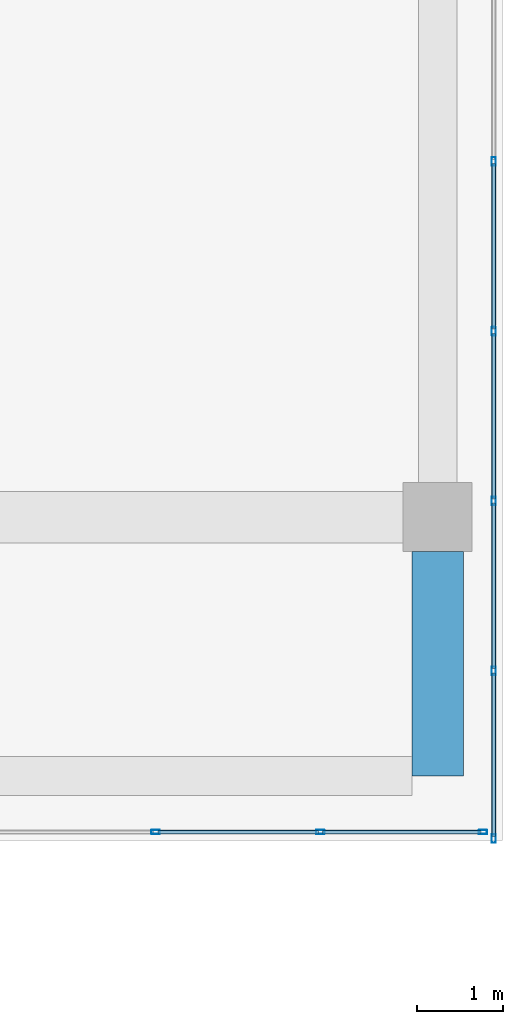
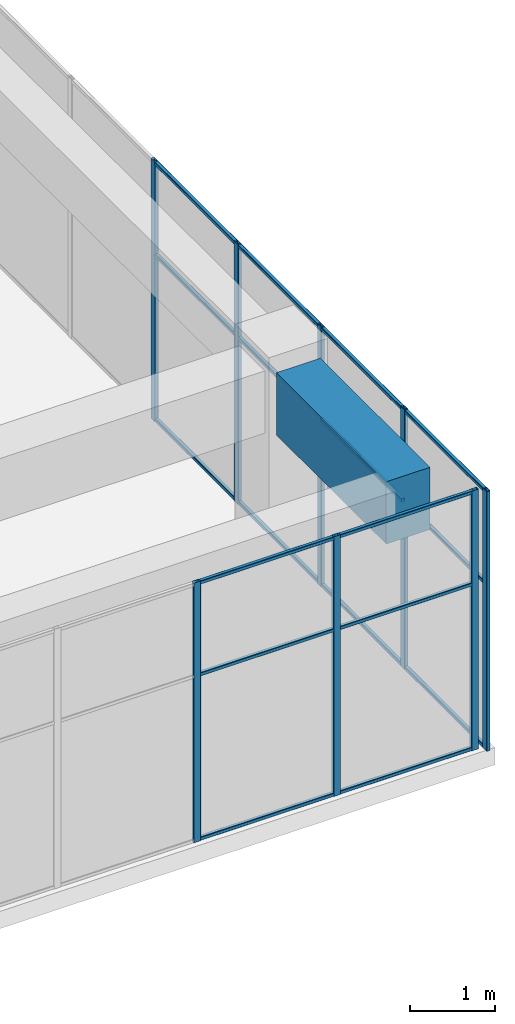
# One storey, part 37 of 55: 26 members, 1 beam, 2 elements without a shape of their own.
"""IFC4 building model written with IfcOpenShell, lengths in metres."""

import ifcopenshell
import ifcopenshell.guid

model = None  # the IFC model being written
_history = None  # IfcOwnerHistory: only IFC2X3 demands one
_inside = {}  # id of a spatial element -> (the spatial element, [elements in it])
_under = {}  # id of a project, library or spatial element -> (it, [spatial elements below it])
_declared = {}  # id of a project -> (the project, [libraries it declares])
_typed = {}  # id of a type object -> (the type object, [elements of that type])
_made_of = {}  # id of a material, layer set ... -> (it, [elements and type objects made of it])


def new_model(schema):
    """Start an empty IFC model of exactly this schema.

    Asked for "IFC4X3", IfcOpenShell would pick the latest addendum, in which some entities
    have other attributes; the version numbers below select the first issue.
    IFC2X3 requires an IfcOwnerHistory on every rooted entity: one is made here for all.
    """
    global model, _history
    if schema == "IFC4X3":
        model = ifcopenshell.file(schema_version=(4, 3, 0, 0))
    else:
        model = ifcopenshell.file(schema=schema)
    _inside.clear()
    _under.clear()
    _declared.clear()
    _typed.clear()
    _made_of.clear()
    _history = None
    if model.schema == "IFC2X3":
        org = make("IfcOrganization", Name="unknown")
        user = make(
            "IfcPersonAndOrganization",
            ThePerson=make("IfcPerson", FamilyName="unknown"),
            TheOrganization=org,
        )
        app = make(
            "IfcApplication",
            ApplicationDeveloper=org,
            Version="unknown",
            ApplicationFullName="unknown",
            ApplicationIdentifier="unknown",
        )
        _history = make(
            "IfcOwnerHistory",
            OwningUser=user,
            OwningApplication=app,
            ChangeAction="ADDED",
            CreationDate=0,
        )
    return model


def make(cls, **values):
    """One entity of the class cls with the attributes given. An attribute that is None is left unset."""
    return model.create_entity(
        cls, **{name: value for name, value in values.items() if value is not None}
    )


def rooted(cls, **values):
    """An entity with a GlobalId (a new one), such as an element, a storey or a relation."""
    return make(cls, GlobalId=ifcopenshell.guid.new(), OwnerHistory=_history, **values)


def si_unit(unit_type, name, prefix=None):
    """IfcSIUnit, for example si_unit("LENGTHUNIT", "METRE", prefix="MILLI")."""
    return make("IfcSIUnit", UnitType=unit_type, Prefix=prefix, Name=name)


def assignment(units):
    """IfcUnitAssignment: the units of a project."""
    return None if units is None else make("IfcUnitAssignment", Units=units)


def point(xyz):
    """IfcCartesianPoint."""
    return None if xyz is None else make("IfcCartesianPoint", Coordinates=xyz)


def direction(xyz):
    """IfcDirection."""
    return None if xyz is None else make("IfcDirection", DirectionRatios=xyz)


def frame(location, z_axis=None, x_axis=None):
    """IfcAxis2Placement3D, a coordinate frame: its origin and axes. An axis left out is left unset."""
    return make(
        "IfcAxis2Placement3D",
        Location=point(location),
        Axis=direction(z_axis),
        RefDirection=direction(x_axis),
    )


def frame_2d(location, x_axis=None):
    """IfcAxis2Placement2D, a coordinate frame in the plane: its origin and x axis."""
    return make(
        "IfcAxis2Placement2D", Location=point(location), RefDirection=direction(x_axis)
    )


def origin():
    """The frame at (0, 0, 0) with its axes left unset."""
    return frame((0.0, 0.0, 0.0))


def origin_2d():
    """The frame at (0, 0) in the plane with its x axis left unset."""
    return frame_2d((0.0, 0.0))


def place(relative_to, where):
    """IfcLocalPlacement: puts the frame where relative to a parent placement (None: the world)."""
    return make(
        "IfcLocalPlacement", PlacementRelTo=relative_to, RelativePlacement=where
    )


def context(
    kind, dimensions, precision=None, world=None, true_north=None, identifier=None
):
    """IfcGeometricRepresentationContext, for example the 3D "Model" context."""
    return make(
        "IfcGeometricRepresentationContext",
        ContextIdentifier=identifier,
        ContextType=kind,
        CoordinateSpaceDimension=dimensions,
        Precision=precision,
        WorldCoordinateSystem=world,
        TrueNorth=true_north,
    )


def subcontext(parent, identifier, kind, view, scale=None):
    """IfcGeometricRepresentationSubContext, for example "Body" below "Model"."""
    return make(
        "IfcGeometricRepresentationSubContext",
        ContextIdentifier=identifier,
        ContextType=kind,
        ParentContext=parent,
        TargetScale=scale,
        TargetView=view,
    )


def project(units=None, contexts=None):
    """IfcProject with its units and contexts."""
    return rooted(
        "IfcProject",
        Name="project",
        RepresentationContexts=contexts,
        UnitsInContext=assignment(units),
    )


def spatial(cls, under=None, at=None, **own):
    """A site, building, storey or space (cls), placed at a placement, below another one or the project."""
    s = rooted(cls, ObjectPlacement=at, **own)
    if under is not None:
        _under.setdefault(under.id(), (under, []))[1].append(s)
    return s


def profile(cls, at=None, kind="AREA", **sizes):
    """A parametric profile (cls). Its sizes go by their IFC names, for example OverallWidth=200.0."""
    return make(cls, ProfileType=kind, Position=at, **sizes)


def rectangle(**sizes):
    """IfcRectangleProfileDef."""
    return profile("IfcRectangleProfileDef", **sizes)


def hollow_rectangle(**sizes):
    """IfcRectangleHollowProfileDef."""
    return profile("IfcRectangleHollowProfileDef", **sizes)


def extrude(swept, where, along, depth):
    """IfcExtrudedAreaSolid: the profile swept, set in the frame where, extruded along a direction by depth."""
    return make(
        "IfcExtrudedAreaSolid",
        SweptArea=swept,
        Position=where,
        ExtrudedDirection=direction(along),
        Depth=depth,
    )


def shape(context_of_items, identifier, shape_type, items):
    """IfcShapeRepresentation: the items that make up one representation, for example the "Body"."""
    return make(
        "IfcShapeRepresentation",
        ContextOfItems=context_of_items,
        RepresentationIdentifier=identifier,
        RepresentationType=shape_type,
        Items=items,
    )


def material(Name=None, Category=None):
    """IfcMaterial."""
    return make("IfcMaterial", Name=Name, Category=Category)


def layer(
    of_material, thickness, ventilated=None, Name=None, Category=None, Priority=None
):
    """IfcMaterialLayer: one layer of a wall or slab, of a material (None: an air gap)."""
    return make(
        "IfcMaterialLayer",
        Material=of_material,
        LayerThickness=thickness,
        IsVentilated=ventilated,
        Name=Name,
        Category=Category,
        Priority=Priority,
    )


def layer_set(layers, Name=None):
    """IfcMaterialLayerSet."""
    return make("IfcMaterialLayerSet", MaterialLayers=layers, LayerSetName=Name)


def material_profile(
    of_material, cross_section, Name=None, Category=None, Priority=None
):
    """IfcMaterialProfile: a cross section and its material."""
    return make(
        "IfcMaterialProfile",
        Name=Name,
        Material=of_material,
        Profile=cross_section,
        Priority=Priority,
        Category=Category,
    )


def profile_set(profiles, Name=None, composite=None):
    """IfcMaterialProfileSet."""
    return make(
        "IfcMaterialProfileSet",
        Name=Name,
        MaterialProfiles=profiles,
        CompositeProfile=composite,
    )


def made_of(thing, what):
    """Note that an element or type object is made of a material, layer set ...; save() writes the relation."""
    if what is not None:
        _made_of.setdefault(what.id(), (what, []))[1].append(thing)
    return thing


def type_object(cls, material=None, **own):
    """A type object (cls), such as IfcWallType, which elements share."""
    return made_of(rooted(cls, **own), material)


def element(
    cls,
    number,
    at=None,
    inside=None,
    cuts=None,
    type_object=None,
    material=None,
    context=None,
    identifier="Body",
    shape_type=None,
    held_by="IfcProductDefinitionShape",
    body=None,
    shapes=None,
    **own,
):
    """One element of the class cls, such as IfcWall. Its Tag is "e" and its number.

    at: its placement. inside: the storey or other place that contains it. cuts: it is an
    opening in that element (IfcRelVoidsElement). A single representation is given by context,
    identifier, shape_type and body (its items); several are given by shapes. held_by: the class
    of the entity that holds the representations. save() writes the other relations.
    """
    e = rooted(cls, Tag="e%d" % number, ObjectPlacement=at, **own)
    if body is not None:
        shapes = [shape(context, identifier, shape_type, body)]
    if shapes is not None:
        e.Representation = make(held_by, Representations=shapes)
    if inside is not None:
        _inside.setdefault(inside.id(), (inside, []))[1].append(e)
    if cuts is not None:
        rooted(
            "IfcRelVoidsElement", RelatingBuildingElement=cuts, RelatedOpeningElement=e
        )
    if type_object is not None:
        _typed.setdefault(type_object.id(), (type_object, []))[1].append(e)
    return made_of(e, material)


def aggregate(whole, parts):
    """IfcRelAggregates: a whole, such as a stair, and the parts it consists of."""
    return rooted("IfcRelAggregates", RelatingObject=whole, RelatedObjects=parts)


def save(model, path):
    """Write the relations noted so far, then the file.

    IfcRelAggregates (storeys below a building ...), IfcRelContainedInSpatialStructure (elements
    in a storey), IfcRelDefinesByType, IfcRelAssociatesMaterial and IfcRelDeclares: one each for
    every whole, place, type object, material and project.
    """
    for whole, parts in _under.values():
        aggregate(whole, parts)
    for where, things in _inside.values():
        rooted(
            "IfcRelContainedInSpatialStructure",
            RelatedElements=things,
            RelatingStructure=where,
        )
    for kind, things in _typed.values():
        rooted("IfcRelDefinesByType", RelatedObjects=things, RelatingType=kind)
    for what, things in _made_of.values():
        rooted("IfcRelAssociatesMaterial", RelatedObjects=things, RelatingMaterial=what)
    for by, libraries in _declared.values():
        rooted("IfcRelDeclares", RelatingContext=by, RelatedDefinitions=libraries)
    model.write(path)


model = new_model("IFC4")

# Units and contexts
model_context = context("Model", 3, precision=1e-05, world=origin(), true_north=direction((0.0, 1.0)))
body_context = subcontext(model_context, "Body", "Model", "MODEL_VIEW")
ifc_project = project(units=[si_unit("LENGTHUNIT", "METRE"), si_unit("AREAUNIT", "SQUARE_METRE"), si_unit("VOLUMEUNIT", "CUBIC_METRE"), si_unit("PLANEANGLEUNIT", "RADIAN"), si_unit("MASSUNIT", "GRAM", prefix="KILO")], contexts=[model_context])

# Site, building, storey
site_placement = place(None, origin())
site = spatial("IfcSite", under=ifc_project, at=site_placement, CompositionType="ELEMENT")
building_placement = place(site_placement, origin())
building = spatial("IfcBuilding", under=site, at=building_placement, Name="Tuart Plaza Theatre", CompositionType="ELEMENT")
storey_placement = place(building_placement, frame((0.0, 0.0, 21.5)))
storey = spatial("IfcBuildingStorey", under=building, at=storey_placement, Name="L05", CompositionType="ELEMENT", Elevation=21.5)

# Beam
ifc_material_1 = material(Name="Concrete N40 (40 MPa)", Category="concrete")
ifc_material_profile_1 = material_profile(ifc_material_1, rectangle(XDim=0.60009765625, YDim=0.89990234375, at=origin_2d()), Name="BEAM 600x900 Concrete N40 (40 MPa)")
ifc_profile_set_1 = profile_set([ifc_material_profile_1], Name="Concrete N40 (40 MPa)")
beam_type = type_object("IfcBeamType", Name="BEAM 600x900 Concrete N40 (40 MPa)", PredefinedType="BEAM", material=ifc_profile_set_1)
beam_placement = place(storey_placement, frame((150.0, 53.0, 3.300048828125), z_axis=(0.0, 1.0, 0.0), x_axis=(-1.0, 0.0, 0.0)))
element("IfcBeam", 1, at=beam_placement, inside=storey, type_object=beam_type, Name="RB237", PredefinedType="BEAM", context=body_context, shape_type="SweptSolid", body=[
    extrude(rectangle(XDim=0.60009765625, YDim=0.89990234375, at=origin_2d()), origin(), (0.0, 0.0, 1.0), 2.60009765625),
])

# Curtain wall, members
ifc_material_2 = material(Name="Aluminium and glass", Category="aluminium")
ifc_layer = layer(ifc_material_2, 0.10009765625)
ifc_layer_set = layer_set([ifc_layer], Name="CURTAIN WALL 2000 module")
curtain_wall_type = type_object("IfcCurtainWallType", Name="CURTAIN WALL 2000 module", PredefinedType="NOTDEFINED", material=ifc_layer_set)
curtain_wall_1_placement = place(storey_placement, origin())
curtain_wall_1 = element("IfcCurtainWall", 2, at=curtain_wall_1_placement, inside=storey, type_object=curtain_wall_type, Name="CW76", PredefinedType="NOTDEFINED")
ifc_material_3 = material(Name="Aluminium 6063-T5", Category="aluminium")
ifc_material_profile_2 = material_profile(ifc_material_3, hollow_rectangle(XDim=0.050048828125, YDim=0.10009765625, WallThickness=0.00390625, InnerFilletRadius=0.00390625, OuterFilletRadius=0.008056640625, at=origin_2d()), Name="RHS 100x50x4")
ifc_profile_set_2 = profile_set([ifc_material_profile_2], Name="Aluminium 6063-T5")
member_type_1 = type_object("IfcMemberType", Name="MULLION RHS 100x50x4", PredefinedType="MULLION", material=ifc_profile_set_2)
member_1_placement = place(storey_placement, frame((146.72998046875, 52.35009765625, 0.0), z_axis=(0.0, 0.0, 1.0), x_axis=(0.0, 1.0, 0.0)))
member_1 = element("IfcMember", 3, at=member_1_placement, type_object=member_type_1, Name="CW76 mullion 9", PredefinedType="MULLION", context=body_context, shape_type="SweptSolid", body=[
    extrude(hollow_rectangle(XDim=0.050048828125, YDim=0.10009765625, WallThickness=0.00390625, InnerFilletRadius=0.00390625, OuterFilletRadius=0.008056640625, at=origin_2d()), origin(), (0.0, 0.0, 1.0), 3.75),
])
member_2_placement = place(storey_placement, frame((148.639892578125, 52.35009765625, 0.0), z_axis=(0.0, 0.0, 1.0), x_axis=(0.0, 1.0, 0.0)))
member_2 = element("IfcMember", 4, at=member_2_placement, type_object=member_type_1, Name="CW76 mullion 10", PredefinedType="MULLION", context=body_context, shape_type="SweptSolid", body=[
    extrude(hollow_rectangle(XDim=0.050048828125, YDim=0.10009765625, WallThickness=0.00390625, InnerFilletRadius=0.00390625, OuterFilletRadius=0.008056640625, at=origin_2d()), origin(), (0.0, 0.0, 1.0), 3.75),
])
member_3_placement = place(storey_placement, frame((150.52490234375, 52.35009765625, 0.0), z_axis=(0.0, 0.0, 1.0), x_axis=(0.0, 1.0, 0.0)))
member_3 = element("IfcMember", 5, at=member_3_placement, type_object=member_type_1, Name="CW76 mullion 11", PredefinedType="MULLION", context=body_context, shape_type="SweptSolid", body=[
    extrude(hollow_rectangle(XDim=0.050048828125, YDim=0.10009765625, WallThickness=0.00390625, InnerFilletRadius=0.00390625, OuterFilletRadius=0.008056640625, at=origin_2d()), origin(), (0.0, 0.0, 1.0), 3.75),
])

curtain_wall_2_placement = place(storey_placement, origin())
curtain_wall_2 = element("IfcCurtainWall", 6, at=curtain_wall_2_placement, inside=storey, type_object=curtain_wall_type, Name="CW78", PredefinedType="NOTDEFINED")
member_4_placement = place(storey_placement, frame((150.64990234375, 52.27490234375, 0.0), z_axis=(0.0, 0.0, 1.0), x_axis=(-1.0, 0.0, 0.0)))
member_4 = element("IfcMember", 7, at=member_4_placement, type_object=member_type_1, Name="CW78 mullion 1", PredefinedType="MULLION", context=body_context, shape_type="SweptSolid", body=[
    extrude(hollow_rectangle(XDim=0.050048828125, YDim=0.10009765625, WallThickness=0.00390625, InnerFilletRadius=0.00390625, OuterFilletRadius=0.008056640625, at=origin_2d()), origin(), (0.0, 0.0, 1.0), 3.75),
])
member_5_placement = place(storey_placement, frame((150.64990234375, 54.21875, 0.0), z_axis=(0.0, 0.0, 1.0), x_axis=(-1.0, 0.0, 0.0)))
member_5 = element("IfcMember", 8, at=member_5_placement, type_object=member_type_1, Name="CW78 mullion 2", PredefinedType="MULLION", context=body_context, shape_type="SweptSolid", body=[
    extrude(hollow_rectangle(XDim=0.050048828125, YDim=0.10009765625, WallThickness=0.00390625, InnerFilletRadius=0.00390625, OuterFilletRadius=0.008056640625, at=origin_2d()), origin(), (0.0, 0.0, 1.0), 3.75),
])
member_6_placement = place(storey_placement, frame((150.64990234375, 56.1875, 0.0), z_axis=(0.0, 0.0, 1.0), x_axis=(-1.0, 0.0, 0.0)))
member_6 = element("IfcMember", 9, at=member_6_placement, type_object=member_type_1, Name="CW78 mullion 3", PredefinedType="MULLION", context=body_context, shape_type="SweptSolid", body=[
    extrude(hollow_rectangle(XDim=0.050048828125, YDim=0.10009765625, WallThickness=0.00390625, InnerFilletRadius=0.00390625, OuterFilletRadius=0.008056640625, at=origin_2d()), origin(), (0.0, 0.0, 1.0), 3.75),
])
member_7_placement = place(storey_placement, frame((150.64990234375, 58.15625, 0.0), z_axis=(0.0, 0.0, 1.0), x_axis=(-1.0, 0.0, 0.0)))
member_7 = element("IfcMember", 10, at=member_7_placement, type_object=member_type_1, Name="CW78 mullion 4", PredefinedType="MULLION", context=body_context, shape_type="SweptSolid", body=[
    extrude(hollow_rectangle(XDim=0.050048828125, YDim=0.10009765625, WallThickness=0.00390625, InnerFilletRadius=0.00390625, OuterFilletRadius=0.008056640625, at=origin_2d()), origin(), (0.0, 0.0, 1.0), 3.75),
])
member_8_placement = place(storey_placement, frame((150.64990234375, 60.125, 0.0), z_axis=(0.0, 0.0, 1.0), x_axis=(-1.0, 0.0, 0.0)))
member_8 = element("IfcMember", 11, at=member_8_placement, type_object=member_type_1, Name="CW78 mullion 5", PredefinedType="MULLION", context=body_context, shape_type="SweptSolid", body=[
    extrude(hollow_rectangle(XDim=0.050048828125, YDim=0.10009765625, WallThickness=0.00390625, InnerFilletRadius=0.00390625, OuterFilletRadius=0.008056640625, at=origin_2d()), origin(), (0.0, 0.0, 1.0), 3.75),
])

# Member
ifc_material_4 = material(Name="Aluminium 6063-T5", Category="aluminium")
ifc_material_profile_3 = material_profile(ifc_material_4, hollow_rectangle(XDim=0.050048828125, YDim=0.050048828125, WallThickness=0.00390625, InnerFilletRadius=0.00390625, OuterFilletRadius=0.008056640625, at=origin_2d()), Name="RHS 50x50x4")
ifc_profile_set_3 = profile_set([ifc_material_profile_3], Name="Aluminium 6063-T5")
member_type_2 = type_object("IfcMemberType", Name="TRANSOM RHS 50x50x4", PredefinedType="USERDEFINED", material=ifc_profile_set_3)
member_9_placement = place(storey_placement, frame((146.7548828125, 52.35009765625, 0.02490234375), z_axis=(1.0, 0.0, 0.0), x_axis=(0.0, 1.0, 0.0)))
member_9 = element("IfcMember", 12, at=member_9_placement, type_object=member_type_2, Name="CW76 transom 9.1", ObjectType="TRANSOM", PredefinedType="USERDEFINED", context=body_context, shape_type="SweptSolid", body=[
    extrude(hollow_rectangle(XDim=0.050048828125, YDim=0.050048828125, WallThickness=0.00390625, InnerFilletRadius=0.00390625, OuterFilletRadius=0.008056640625, at=origin_2d()), origin(), (0.0, 0.0, 1.0), 1.860107421875),
])

member_10_placement = place(storey_placement, frame((146.7548828125, 52.35009765625, 2.39990234375), z_axis=(1.0, 0.0, 0.0), x_axis=(0.0, 1.0, 0.0)))
member_10 = element("IfcMember", 13, at=member_10_placement, type_object=member_type_2, Name="CW76 transom 9.2", ObjectType="TRANSOM", PredefinedType="USERDEFINED", context=body_context, shape_type="SweptSolid", body=[
    extrude(hollow_rectangle(XDim=0.050048828125, YDim=0.050048828125, WallThickness=0.00390625, InnerFilletRadius=0.00390625, OuterFilletRadius=0.008056640625, at=origin_2d()), origin(), (0.0, 0.0, 1.0), 1.860107421875),
])

member_11_placement = place(storey_placement, frame((146.7548828125, 52.35009765625, 3.72509765625), z_axis=(1.0, 0.0, 0.0), x_axis=(0.0, 1.0, 0.0)))
member_11 = element("IfcMember", 14, at=member_11_placement, type_object=member_type_2, Name="CW76 transom 9.3", ObjectType="TRANSOM", PredefinedType="USERDEFINED", context=body_context, shape_type="SweptSolid", body=[
    extrude(hollow_rectangle(XDim=0.050048828125, YDim=0.050048828125, WallThickness=0.00390625, InnerFilletRadius=0.00390625, OuterFilletRadius=0.008056640625, at=origin_2d()), origin(), (0.0, 0.0, 1.0), 1.860107421875),
])

member_12_placement = place(storey_placement, frame((148.6650390625, 52.35009765625, 0.02490234375), z_axis=(1.0, 0.0, 0.0), x_axis=(0.0, 1.0, 0.0)))
member_12 = element("IfcMember", 15, at=member_12_placement, type_object=member_type_2, Name="CW76 transom 10.1", ObjectType="TRANSOM", PredefinedType="USERDEFINED", context=body_context, shape_type="SweptSolid", body=[
    extrude(hollow_rectangle(XDim=0.050048828125, YDim=0.050048828125, WallThickness=0.00390625, InnerFilletRadius=0.00390625, OuterFilletRadius=0.008056640625, at=origin_2d()), origin(), (0.0, 0.0, 1.0), 1.8349609375),
])

member_13_placement = place(storey_placement, frame((148.6650390625, 52.35009765625, 2.39990234375), z_axis=(1.0, 0.0, 0.0), x_axis=(0.0, 1.0, 0.0)))
member_13 = element("IfcMember", 16, at=member_13_placement, type_object=member_type_2, Name="CW76 transom 10.2", ObjectType="TRANSOM", PredefinedType="USERDEFINED", context=body_context, shape_type="SweptSolid", body=[
    extrude(hollow_rectangle(XDim=0.050048828125, YDim=0.050048828125, WallThickness=0.00390625, InnerFilletRadius=0.00390625, OuterFilletRadius=0.008056640625, at=origin_2d()), origin(), (0.0, 0.0, 1.0), 1.8349609375),
])

member_14_placement = place(storey_placement, frame((148.6650390625, 52.35009765625, 3.72509765625), z_axis=(1.0, 0.0, 0.0), x_axis=(0.0, 1.0, 0.0)))
member_14 = element("IfcMember", 17, at=member_14_placement, type_object=member_type_2, Name="CW76 transom 10.3", ObjectType="TRANSOM", PredefinedType="USERDEFINED", context=body_context, shape_type="SweptSolid", body=[
    extrude(hollow_rectangle(XDim=0.050048828125, YDim=0.050048828125, WallThickness=0.00390625, InnerFilletRadius=0.00390625, OuterFilletRadius=0.008056640625, at=origin_2d()), origin(), (0.0, 0.0, 1.0), 1.8349609375),
])

aggregate(curtain_wall_1, [member_1, member_2, member_3, member_9, member_10, member_11, member_12, member_13, member_14])

member_15_placement = place(storey_placement, frame((150.64990234375, 52.300048828125, 0.02490234375), z_axis=(0.0, 1.0, 0.0), x_axis=(-1.0, 0.0, 0.0)))
member_15 = element("IfcMember", 18, at=member_15_placement, type_object=member_type_2, Name="CW78 transom 1.1", ObjectType="TRANSOM", PredefinedType="USERDEFINED", context=body_context, shape_type="SweptSolid", body=[
    extrude(hollow_rectangle(XDim=0.050048828125, YDim=0.050048828125, WallThickness=0.00390625, InnerFilletRadius=0.00390625, OuterFilletRadius=0.008056640625, at=origin_2d()), origin(), (0.0, 0.0, 1.0), 1.893798828125),
])

member_16_placement = place(storey_placement, frame((150.64990234375, 52.300048828125, 2.39990234375), z_axis=(0.0, 1.0, 0.0), x_axis=(-1.0, 0.0, 0.0)))
member_16 = element("IfcMember", 19, at=member_16_placement, type_object=member_type_2, Name="CW78 transom 1.2", ObjectType="TRANSOM", PredefinedType="USERDEFINED", context=body_context, shape_type="SweptSolid", body=[
    extrude(hollow_rectangle(XDim=0.050048828125, YDim=0.050048828125, WallThickness=0.00390625, InnerFilletRadius=0.00390625, OuterFilletRadius=0.008056640625, at=origin_2d()), origin(), (0.0, 0.0, 1.0), 1.893798828125),
])

member_17_placement = place(storey_placement, frame((150.64990234375, 52.300048828125, 3.72509765625), z_axis=(0.0, 1.0, 0.0), x_axis=(-1.0, 0.0, 0.0)))
member_17 = element("IfcMember", 20, at=member_17_placement, type_object=member_type_2, Name="CW78 transom 1.3", ObjectType="TRANSOM", PredefinedType="USERDEFINED", context=body_context, shape_type="SweptSolid", body=[
    extrude(hollow_rectangle(XDim=0.050048828125, YDim=0.050048828125, WallThickness=0.00390625, InnerFilletRadius=0.00390625, OuterFilletRadius=0.008056640625, at=origin_2d()), origin(), (0.0, 0.0, 1.0), 1.893798828125),
])

member_18_placement = place(storey_placement, frame((150.64990234375, 54.24365234375, 0.02490234375), z_axis=(0.0, 1.0, 0.0), x_axis=(-1.0, 0.0, 0.0)))
member_18 = element("IfcMember", 21, at=member_18_placement, type_object=member_type_2, Name="CW78 transom 2.1", ObjectType="TRANSOM", PredefinedType="USERDEFINED", context=body_context, shape_type="SweptSolid", body=[
    extrude(hollow_rectangle(XDim=0.050048828125, YDim=0.050048828125, WallThickness=0.00390625, InnerFilletRadius=0.00390625, OuterFilletRadius=0.008056640625, at=origin_2d()), origin(), (0.0, 0.0, 1.0), 1.9189453125),
])

member_19_placement = place(storey_placement, frame((150.64990234375, 54.24365234375, 2.39990234375), z_axis=(0.0, 1.0, 0.0), x_axis=(-1.0, 0.0, 0.0)))
member_19 = element("IfcMember", 22, at=member_19_placement, type_object=member_type_2, Name="CW78 transom 2.2", ObjectType="TRANSOM", PredefinedType="USERDEFINED", context=body_context, shape_type="SweptSolid", body=[
    extrude(hollow_rectangle(XDim=0.050048828125, YDim=0.050048828125, WallThickness=0.00390625, InnerFilletRadius=0.00390625, OuterFilletRadius=0.008056640625, at=origin_2d()), origin(), (0.0, 0.0, 1.0), 1.9189453125),
])

member_20_placement = place(storey_placement, frame((150.64990234375, 54.24365234375, 3.72509765625), z_axis=(0.0, 1.0, 0.0), x_axis=(-1.0, 0.0, 0.0)))
member_20 = element("IfcMember", 23, at=member_20_placement, type_object=member_type_2, Name="CW78 transom 2.3", ObjectType="TRANSOM", PredefinedType="USERDEFINED", context=body_context, shape_type="SweptSolid", body=[
    extrude(hollow_rectangle(XDim=0.050048828125, YDim=0.050048828125, WallThickness=0.00390625, InnerFilletRadius=0.00390625, OuterFilletRadius=0.008056640625, at=origin_2d()), origin(), (0.0, 0.0, 1.0), 1.9189453125),
])

member_21_placement = place(storey_placement, frame((150.64990234375, 56.21240234375, 0.02490234375), z_axis=(0.0, 1.0, 0.0), x_axis=(-1.0, 0.0, 0.0)))
member_21 = element("IfcMember", 24, at=member_21_placement, type_object=member_type_2, Name="CW78 transom 3.1", ObjectType="TRANSOM", PredefinedType="USERDEFINED", context=body_context, shape_type="SweptSolid", body=[
    extrude(hollow_rectangle(XDim=0.050048828125, YDim=0.050048828125, WallThickness=0.00390625, InnerFilletRadius=0.00390625, OuterFilletRadius=0.008056640625, at=origin_2d()), origin(), (0.0, 0.0, 1.0), 1.9189453125),
])

member_22_placement = place(storey_placement, frame((150.64990234375, 56.21240234375, 2.39990234375), z_axis=(0.0, 1.0, 0.0), x_axis=(-1.0, 0.0, 0.0)))
member_22 = element("IfcMember", 25, at=member_22_placement, type_object=member_type_2, Name="CW78 transom 3.2", ObjectType="TRANSOM", PredefinedType="USERDEFINED", context=body_context, shape_type="SweptSolid", body=[
    extrude(hollow_rectangle(XDim=0.050048828125, YDim=0.050048828125, WallThickness=0.00390625, InnerFilletRadius=0.00390625, OuterFilletRadius=0.008056640625, at=origin_2d()), origin(), (0.0, 0.0, 1.0), 1.9189453125),
])

member_23_placement = place(storey_placement, frame((150.64990234375, 56.21240234375, 3.72509765625), z_axis=(0.0, 1.0, 0.0), x_axis=(-1.0, 0.0, 0.0)))
member_23 = element("IfcMember", 26, at=member_23_placement, type_object=member_type_2, Name="CW78 transom 3.3", ObjectType="TRANSOM", PredefinedType="USERDEFINED", context=body_context, shape_type="SweptSolid", body=[
    extrude(hollow_rectangle(XDim=0.050048828125, YDim=0.050048828125, WallThickness=0.00390625, InnerFilletRadius=0.00390625, OuterFilletRadius=0.008056640625, at=origin_2d()), origin(), (0.0, 0.0, 1.0), 1.9189453125),
])

member_24_placement = place(storey_placement, frame((150.64990234375, 58.18115234375, 0.02490234375), z_axis=(0.0, 1.0, 0.0), x_axis=(-1.0, 0.0, 0.0)))
member_24 = element("IfcMember", 27, at=member_24_placement, type_object=member_type_2, Name="CW78 transom 4.1", ObjectType="TRANSOM", PredefinedType="USERDEFINED", context=body_context, shape_type="SweptSolid", body=[
    extrude(hollow_rectangle(XDim=0.050048828125, YDim=0.050048828125, WallThickness=0.00390625, InnerFilletRadius=0.00390625, OuterFilletRadius=0.008056640625, at=origin_2d()), origin(), (0.0, 0.0, 1.0), 1.9189453125),
])

member_25_placement = place(storey_placement, frame((150.64990234375, 58.18115234375, 2.39990234375), z_axis=(0.0, 1.0, 0.0), x_axis=(-1.0, 0.0, 0.0)))
member_25 = element("IfcMember", 28, at=member_25_placement, type_object=member_type_2, Name="CW78 transom 4.2", ObjectType="TRANSOM", PredefinedType="USERDEFINED", context=body_context, shape_type="SweptSolid", body=[
    extrude(hollow_rectangle(XDim=0.050048828125, YDim=0.050048828125, WallThickness=0.00390625, InnerFilletRadius=0.00390625, OuterFilletRadius=0.008056640625, at=origin_2d()), origin(), (0.0, 0.0, 1.0), 1.9189453125),
])

member_26_placement = place(storey_placement, frame((150.64990234375, 58.18115234375, 3.72509765625), z_axis=(0.0, 1.0, 0.0), x_axis=(-1.0, 0.0, 0.0)))
member_26 = element("IfcMember", 29, at=member_26_placement, type_object=member_type_2, Name="CW78 transom 4.3", ObjectType="TRANSOM", PredefinedType="USERDEFINED", context=body_context, shape_type="SweptSolid", body=[
    extrude(hollow_rectangle(XDim=0.050048828125, YDim=0.050048828125, WallThickness=0.00390625, InnerFilletRadius=0.00390625, OuterFilletRadius=0.008056640625, at=origin_2d()), origin(), (0.0, 0.0, 1.0), 1.9189453125),
])

aggregate(curtain_wall_2, [member_4, member_5, member_6, member_7, member_8, member_15, member_16, member_17, member_18, member_19, member_20, member_21, member_22, member_23, member_24, member_25, member_26])

save(model, "model.ifc")
